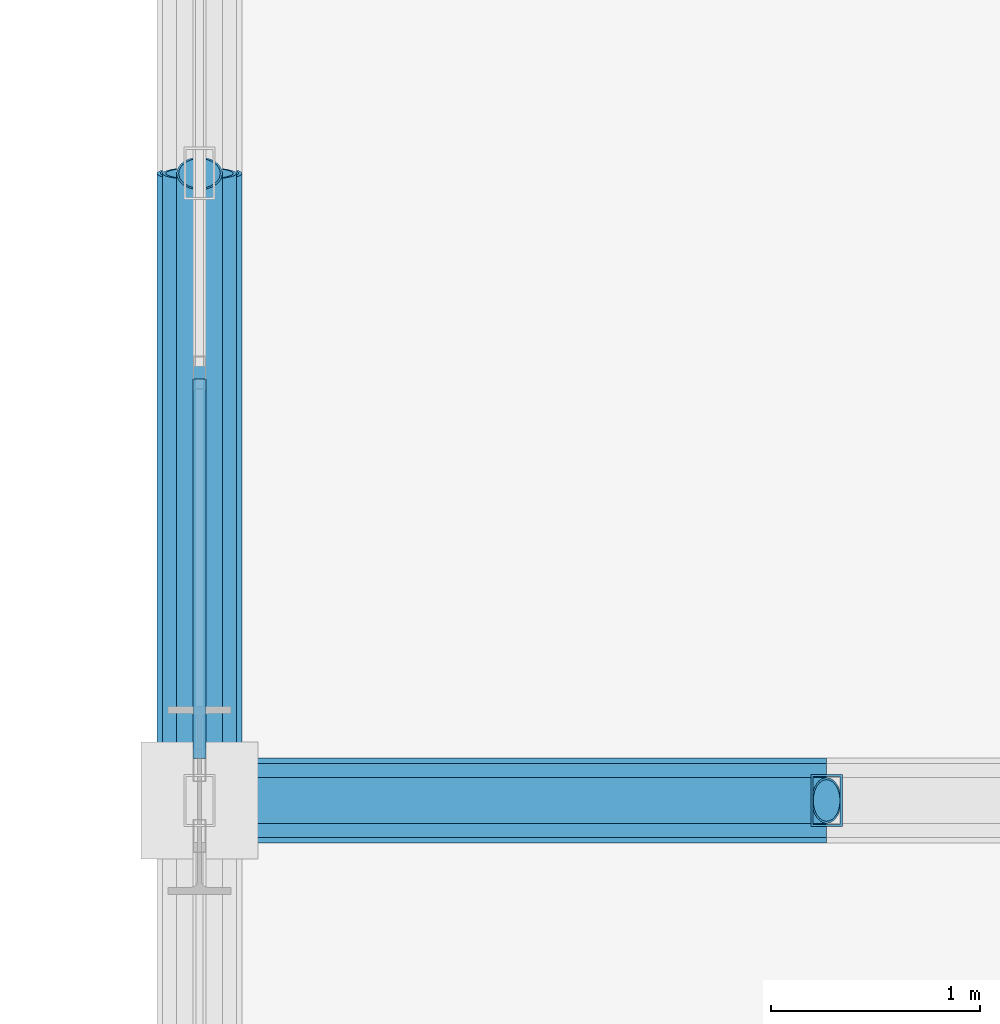
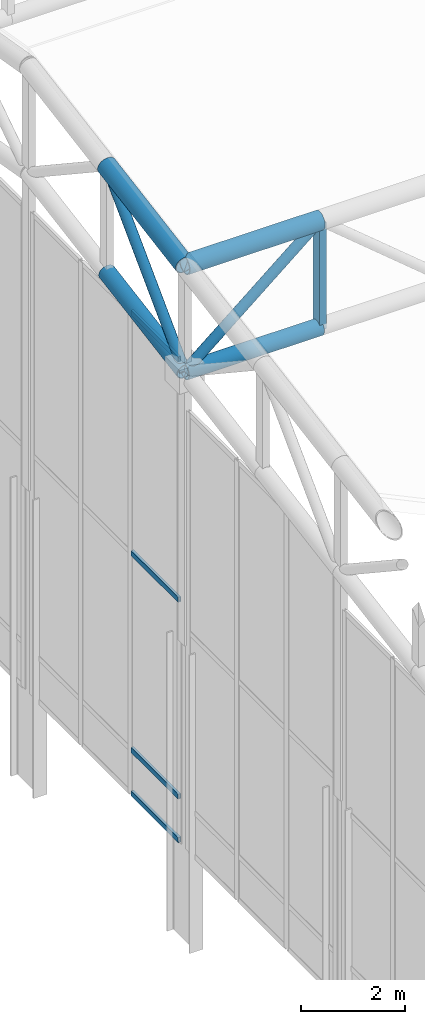
# One storey, part 80 of 239: 11 members, 1 element without a shape of its own.
"""IFC4 building model written with IfcOpenShell, lengths in metres."""

from ifc_helpers import new_model, si_unit, direction, frame, origin, origin_2d, place, context, subcontext, project, spatial, hollow_rectangle, hollow_circle, extrude, material, material_profile, profile_set, type_object, element, aggregate, save


model = new_model("IFC4")

# Units and contexts
model_context = context("Model", 3, precision=1e-05, world=origin(), true_north=direction((0.0, 1.0)))
body_context = subcontext(model_context, "Body", "Model", "MODEL_VIEW")
ifc_project = project(units=[si_unit("LENGTHUNIT", "METRE"), si_unit("AREAUNIT", "SQUARE_METRE"), si_unit("VOLUMEUNIT", "CUBIC_METRE"), si_unit("PLANEANGLEUNIT", "RADIAN"), si_unit("MASSUNIT", "GRAM", prefix="KILO")], contexts=[model_context])

# Site, building, storey
site_placement = place(None, origin())
site = spatial("IfcSite", under=ifc_project, at=site_placement, CompositionType="ELEMENT")
building_placement = place(site_placement, origin())
building = spatial("IfcBuilding", under=site, at=building_placement, Name="Kaldris Quays Convention Centre", CompositionType="ELEMENT")
storey_placement = place(building_placement, frame((0.0, 0.0, 11.39990234375)))
storey = spatial("IfcBuildingStorey", under=building, at=storey_placement, Name="L02", CompositionType="ELEMENT", Elevation=11.39990234375)

# Curtain wall, members
ifc_material_1 = material(Name="Anodized aluminium AW-6060 and triple glazing", Category="aluminium")
curtain_wall_type = type_object("IfcCurtainWallType", Name="UNITISED CURTAIN WALL CW03", PredefinedType="NOTDEFINED", material=ifc_material_1)
curtain_wall_placement = place(storey_placement, origin())
curtain_wall = element("IfcCurtainWall", 1, at=curtain_wall_placement, inside=storey, type_object=curtain_wall_type, Name="L02 Unitised Curtain Wall CW03 219", PredefinedType="NOTDEFINED")
ifc_material_2 = material(Name="Anodized aluminium AW-6060", Category="aluminium")
ifc_material_profile_1 = material_profile(ifc_material_2, hollow_rectangle(XDim=0.06005859375, YDim=0.1201171875, WallThickness=0.00390625, at=origin_2d()), Name="RHS 120x60x4")
ifc_profile_set_1 = profile_set([ifc_material_profile_1], Name="Anodized aluminium AW-6060")
member_type_1 = type_object("IfcMemberType", Name="CURTAIN TRANSOM CWT1", PredefinedType="USERDEFINED", material=ifc_profile_set_1)
member_1_placement = place(storey_placement, frame((20.0, 92.199951171875, 2.22509765625), z_axis=(0.0, 1.0, 0.0), x_axis=(-1.0, 0.0, 0.0)))
member_1 = element("IfcMember", 2, at=member_1_placement, type_object=member_type_1, Name="CW03 transom 1.1", ObjectType="TRANSOM", PredefinedType="USERDEFINED", context=body_context, shape_type="SweptSolid", body=[
    extrude(hollow_rectangle(XDim=0.06005859375, YDim=0.1201171875, WallThickness=0.00390625, at=origin_2d()), origin(), (0.0, 0.0, 1.0), 1.816650390625),
])
member_2_placement = place(storey_placement, frame((20.0, 92.199951171875, 3.2451171875), z_axis=(0.0, 1.0, 0.0), x_axis=(-1.0, 0.0, 0.0)))
member_2 = element("IfcMember", 3, at=member_2_placement, type_object=member_type_1, Name="CW03 transom 1.2", ObjectType="TRANSOM", PredefinedType="USERDEFINED", context=body_context, shape_type="SweptSolid", body=[
    extrude(hollow_rectangle(XDim=0.06005859375, YDim=0.1201171875, WallThickness=0.00390625, at=origin_2d()), origin(), (0.0, 0.0, 1.0), 1.816650390625),
])
member_3_placement = place(storey_placement, frame((20.0, 92.199951171875, 7.864990234375), z_axis=(0.0, 1.0, 0.0), x_axis=(-1.0, 0.0, 0.0)))
member_3 = element("IfcMember", 4, at=member_3_placement, type_object=member_type_1, Name="CW03 transom 1.3", ObjectType="TRANSOM", PredefinedType="USERDEFINED", context=body_context, shape_type="SweptSolid", body=[
    extrude(hollow_rectangle(XDim=0.06005859375, YDim=0.1201171875, WallThickness=0.00390625, at=origin_2d()), origin(), (0.0, 0.0, 1.0), 1.816650390625),
])
member_4_placement = place(storey_placement, frame((20.0, 92.199951171875, 13.506103515625), z_axis=(0.0, 1.0, 0.0), x_axis=(-1.0, 0.0, 0.0)))
member_4 = element("IfcMember", 5, at=member_4_placement, type_object=member_type_1, Name="CW03 transom 1.4", ObjectType="TRANSOM", PredefinedType="USERDEFINED", context=body_context, shape_type="SweptSolid", body=[
    extrude(hollow_rectangle(XDim=0.06005859375, YDim=0.1201171875, WallThickness=0.00390625, at=origin_2d()), origin(), (0.0, 0.0, 1.0), 1.816650390625),
])
aggregate(curtain_wall, [member_1, member_2, member_3, member_4])

# Members
ifc_material_3 = material(Name="Steel S355J2H", Category="steel")
ifc_material_profile_2 = material_profile(ifc_material_3, hollow_circle(Radius=0.203125, WallThickness=0.01611328125, at=origin_2d()), Name="CHS 406.4x16")
ifc_profile_set_2 = profile_set([ifc_material_profile_2], Name="Steel S355J2H")
member_type_2 = type_object("IfcMemberType", Name="STRUCTURAL MEMBER SC01", PredefinedType="CHORD", material=ifc_profile_set_2)
member_5_placement = place(storey_placement, frame((20.0, 92.0, 15.84326171875), z_axis=(1.0, 0.0, 0.0), x_axis=(0.0, 1.0, 0.0)))
element("IfcMember", 6, at=member_5_placement, inside=storey, type_object=member_type_2, Name="SF-V1 Top Chord X 127", PredefinedType="CHORD", context=body_context, shape_type="SweptSolid", body=[
    extrude(hollow_circle(Radius=0.203125, WallThickness=0.01611328125, at=origin_2d()), origin(), (0.0, 0.0, 1.0), 3.0),
])
member_6_placement = place(storey_placement, frame((20.0, 92.0, 15.84326171875), z_axis=(0.0, 0.985615766076, 0.169001661712), x_axis=(-1.0, 0.0, 0.0)))
element("IfcMember", 7, at=member_6_placement, inside=storey, type_object=member_type_2, Name="SF-V1 Top Chord Y 349", PredefinedType="CHORD", context=body_context, shape_type="SweptSolid", body=[
    extrude(hollow_circle(Radius=0.203125, WallThickness=0.01611328125, at=origin_2d()), origin(), (0.0, 0.0, 1.0), 3.043701171875),
])
ifc_material_profile_3 = material_profile(ifc_material_3, hollow_circle(Radius=0.177734375, WallThickness=0.01611328125, at=origin_2d()), Name="CHS 355.6x16")
ifc_profile_set_3 = profile_set([ifc_material_profile_3], Name="Steel S355J2H")
member_type_3 = type_object("IfcMemberType", Name="STRUCTURAL MEMBER SC02", PredefinedType="CHORD", material=ifc_profile_set_3)
member_7_placement = place(storey_placement, frame((20.0, 92.0, 13.34326171875), z_axis=(1.0, 0.0, 0.0), x_axis=(0.0, 1.0, 0.0)))
element("IfcMember", 8, at=member_7_placement, inside=storey, type_object=member_type_3, Name="SF-V1 Bottom Chord X 127", PredefinedType="CHORD", context=body_context, shape_type="SweptSolid", body=[
    extrude(hollow_circle(Radius=0.177734375, WallThickness=0.01611328125, at=origin_2d()), origin(), (0.0, 0.0, 1.0), 3.0),
])
member_8_placement = place(storey_placement, frame((20.0, 92.0, 13.34326171875), z_axis=(0.0, 0.985615766076, 0.169001661712), x_axis=(-1.0, 0.0, 0.0)))
element("IfcMember", 9, at=member_8_placement, inside=storey, type_object=member_type_3, Name="SF-V1 Bottom Chord Y 349", PredefinedType="CHORD", context=body_context, shape_type="SweptSolid", body=[
    extrude(hollow_circle(Radius=0.177734375, WallThickness=0.01611328125, at=origin_2d()), origin(), (0.0, 0.0, 1.0), 3.043701171875),
])
ifc_material_profile_4 = material_profile(ifc_material_3, hollow_circle(Radius=0.109619140625, WallThickness=0.010009765625, at=origin_2d()), Name="CHS 219.1x10")
ifc_profile_set_4 = profile_set([ifc_material_profile_4], Name="Steel S355J2H")
member_type_4 = type_object("IfcMemberType", Name="STRUCTURAL MEMBER SWB1", PredefinedType="BRACE", material=ifc_profile_set_4)
member_9_placement = place(storey_placement, frame((20.0, 92.0, 13.34326171875), z_axis=(0.768221279597, 0.0, 0.640184399664), x_axis=(0.0, 1.0, 0.0)))
element("IfcMember", 10, at=member_9_placement, inside=storey, type_object=member_type_4, Name="SF-V1 Web Diagonal X 127", PredefinedType="BRACE", context=body_context, shape_type="SweptSolid", body=[
    extrude(hollow_circle(Radius=0.109619140625, WallThickness=0.010009765625, at=origin_2d()), origin(), (0.0, 0.0, 1.0), 3.905029296875),
])
member_10_placement = place(storey_placement, frame((20.0, 92.0, 13.34326171875), z_axis=(0.0, 0.705411261057, 0.708798245465), x_axis=(-1.0, 0.0, 0.0)))
element("IfcMember", 11, at=member_10_placement, inside=storey, type_object=member_type_4, Name="SF-V1 Web Diagonal Y 349", PredefinedType="BRACE", context=body_context, shape_type="SweptSolid", body=[
    extrude(hollow_circle(Radius=0.109619140625, WallThickness=0.010009765625, at=origin_2d()), origin(), (0.0, 0.0, 1.0), 4.2529296875),
])
ifc_material_profile_5 = material_profile(ifc_material_3, hollow_rectangle(XDim=0.14990234375, YDim=0.25, WallThickness=0.010009765625, at=origin_2d()), Name="RHS 250x150x10")
ifc_profile_set_5 = profile_set([ifc_material_profile_5], Name="Steel S355J2H")
member_type_5 = type_object("IfcMemberType", Name="STRUCTURAL MEMBER TTV1", PredefinedType="POST", material=ifc_profile_set_5)
member_11_placement = place(storey_placement, frame((23.0, 92.0, 13.34326171875), z_axis=(0.0, 0.0, 1.0), x_axis=(1.0, 0.0, 0.0)))
element("IfcMember", 12, at=member_11_placement, inside=storey, type_object=member_type_5, Name="SF-V1 Space-Frame Post 33", PredefinedType="POST", context=body_context, shape_type="SweptSolid", body=[
    extrude(hollow_rectangle(XDim=0.14990234375, YDim=0.25, WallThickness=0.010009765625, at=origin_2d()), origin(), (0.0, 0.0, 1.0), 2.5),
])

save(model, "model.ifc")
